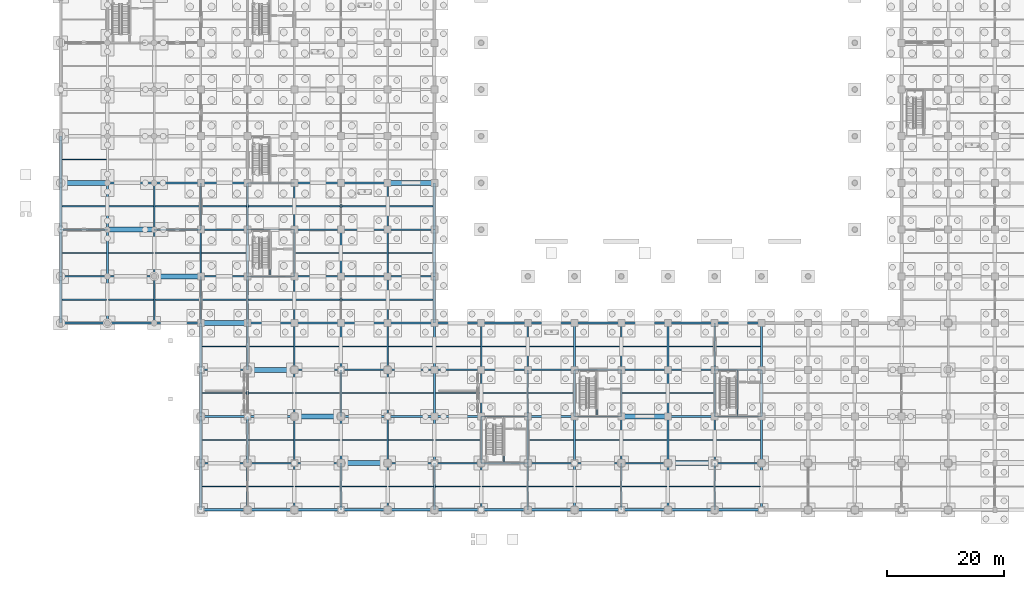
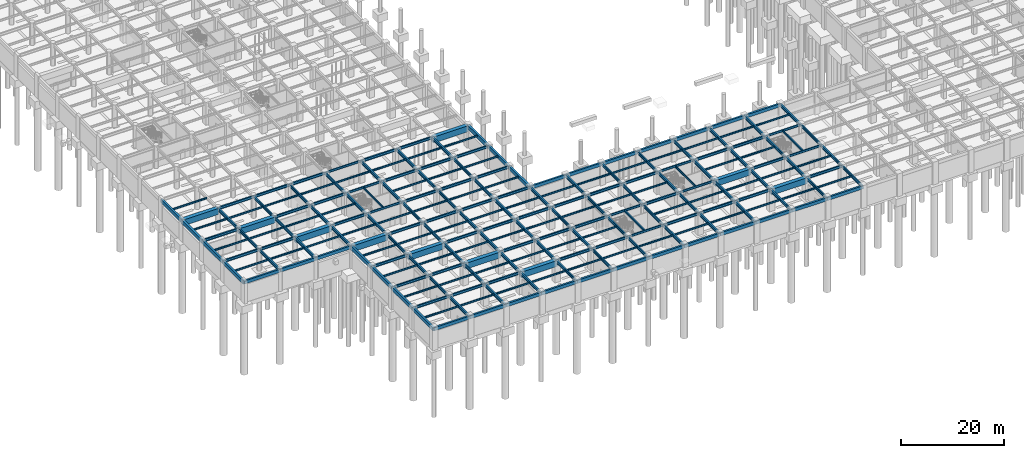
# One storey, part 59 of 97: 240 beams.
"""IFC4 building model written with IfcOpenShell, lengths in metres."""

from ifc_helpers import new_model, si_unit, direction, frame, origin, origin_2d, place, context, subcontext, project, spatial, rectangle, i_section, extrude, material, material_profile, profile_set, type_object, element, save


model = new_model("IFC4")

# Units and contexts
model_context = context("Model", 3, precision=1e-05, world=origin(), true_north=direction((0.0, 1.0)))
body_context = subcontext(model_context, "Body", "Model", "MODEL_VIEW")
ifc_project = project(units=[si_unit("LENGTHUNIT", "METRE"), si_unit("AREAUNIT", "SQUARE_METRE"), si_unit("VOLUMEUNIT", "CUBIC_METRE"), si_unit("PLANEANGLEUNIT", "RADIAN"), si_unit("MASSUNIT", "GRAM", prefix="KILO")], contexts=[model_context])

# Site, building, storey
site_placement = place(None, origin())
site = spatial("IfcSite", under=ifc_project, at=site_placement, CompositionType="ELEMENT")
building_placement = place(site_placement, origin())
building = spatial("IfcBuilding", under=site, at=building_placement, Name="Haebicheon Civic Stadium", CompositionType="ELEMENT")
storey_placement = place(building_placement, frame((0.0, 0.0, -5.39990234375)))
storey = spatial("IfcBuildingStorey", under=building, at=storey_placement, Name="B1", CompositionType="ELEMENT", Elevation=-5.39990234375)

# Beams
ifc_material_1 = material(Name="Steel SM355 (S355)", Category="steel")
ifc_material_profile_1 = material_profile(ifc_material_1, i_section(OverallWidth=0.199951171875, OverallDepth=0.5, WebThickness=0.010009765625, FlangeThickness=0.01611328125, at=origin_2d()), Name="H-500x200x10x16")
ifc_profile_set_1 = profile_set([ifc_material_profile_1], Name="Steel SM355 (S355)")
beam_type_1 = type_object("IfcBeamType", Name="BM-ST-H500", PredefinedType="BEAM", material=ifc_profile_set_1)
for number, where, z_axis, x_axis, name in (
    (1, (32.0, 40.0, 4.849853515625), (1.0, 0.0, 0.0), (0.0, 1.0, 0.0), "B1 beam F/5-6"),
    (2, (32.0, 48.0, 4.849853515625), (1.0, 0.0, 0.0), (0.0, 1.0, 0.0), "B1 beam G/5-6"),
    (3, (32.0, 56.0, 4.849853515625), (1.0, 0.0, 0.0), (0.0, 1.0, 0.0), "B1 beam H/5-6"),
    (4, (72.0, 8.0, 4.7998046875), (1.0, 0.0, 0.0), (0.0, 1.0, 0.0), "B1 beam B/10-11"),
    (5, (72.0, 16.0, 4.7998046875), (1.0, 0.0, 0.0), (0.0, 1.0, 0.0), "B1 beam C/10-11"),
    (6, (88.0, 16.0, 4.7998046875), (1.0, 0.0, 0.0), (0.0, 1.0, 0.0), "B1 beam C/12-13"),
    (7, (88.0, 24.0, 4.849853515625), (1.0, 0.0, 0.0), (0.0, 1.0, 0.0), "B1 beam D/12-13"),
    (8, (112.0, 16.0, 4.7998046875), (1.0, 0.0, 0.0), (0.0, 1.0, 0.0), "B1 beam C/15-16"),
    (9, (112.0, 24.0, 4.849853515625), (1.0, 0.0, 0.0), (0.0, 1.0, 0.0), "B1 beam D/15-16"),
):
    element("IfcBeam", number, at=place(storey_placement, frame(where, z_axis=z_axis, x_axis=x_axis)), inside=storey, type_object=beam_type_1, material=ifc_profile_set_1, Name=name, PredefinedType="BEAM", context=body_context, shape_type="SweptSolid", body=[
        extrude(i_section(OverallWidth=0.199951171875, OverallDepth=0.5, WebThickness=0.010009765625, FlangeThickness=0.01611328125, at=origin_2d()), origin(), (0.0, 0.0, 1.0), 8.0),
    ])
for number, where, z_axis, x_axis, name in (
    (10, (35.8798828125, 40.10009765625, 4.849853515625), (0.0, 1.0, 0.0), (-1.0, 0.0, 0.0), "B1 KC-01 core dividing wall support beam"),
    (11, (75.8798828125, 8.10009765625, 4.7998046875), (0.0, 1.0, 0.0), (-1.0, 0.0, 0.0), "B1 KC-16 core dividing wall support beam"),
    (12, (91.8798828125, 16.10009765625, 4.849853515625), (0.0, 1.0, 0.0), (-1.0, 0.0, 0.0), "B1 KC-06 core dividing wall support beam"),
    (13, (115.8798828125, 16.10009765625, 4.849853515625), (0.0, 1.0, 0.0), (-1.0, 0.0, 0.0), "B1 KC-07 core dividing wall support beam"),
):
    element("IfcBeam", number, at=place(storey_placement, frame(where, z_axis=z_axis, x_axis=x_axis)), inside=storey, type_object=beam_type_1, material=ifc_profile_set_1, Name=name, PredefinedType="BEAM", context=body_context, shape_type="SweptSolid", body=[
        extrude(i_section(OverallWidth=0.199951171875, OverallDepth=0.5, WebThickness=0.010009765625, FlangeThickness=0.01611328125, at=origin_2d()), origin(), (0.0, 0.0, 1.0), 7.7998046875),
    ])
ifc_material_2 = material(Name="Steel SM355 (S355)", Category="steel")
ifc_material_profile_2 = material_profile(ifc_material_2, i_section(OverallWidth=0.300048828125, OverallDepth=0.60009765625, WebThickness=0.011962890625, FlangeThickness=0.02001953125, at=origin_2d()), Name="H-600x300x12x20")
ifc_profile_set_2 = profile_set([ifc_material_profile_2], Name="Steel SM355 (S355)")
beam_type_2 = type_object("IfcBeamType", Name="BM-ST-H600A", PredefinedType="BEAM", material=ifc_profile_set_2)
for number, where, z_axis, x_axis, name in (
    (14, (0.0, 40.0, 4.7998046875), (1.0, 0.0, 0.0), (0.0, 1.0, 0.0), "B1 beam F/1-2"),
    (15, (0.0, 48.0, 4.7998046875), (1.0, 0.0, 0.0), (0.0, 1.0, 0.0), "B1 beam G/1-2"),
    (16, (8.0, 40.0, 4.7998046875), (1.0, 0.0, 0.0), (0.0, 1.0, 0.0), "B1 beam F/2-3"),
    (17, (8.0, 56.0, 4.7998046875), (1.0, 0.0, 0.0), (0.0, 1.0, 0.0), "B1 beam H/2-3"),
    (18, (16.0, 48.0, 4.7998046875), (1.0, 0.0, 0.0), (0.0, 1.0, 0.0), "B1 beam G/3-4"),
    (19, (16.0, 56.0, 4.7998046875), (1.0, 0.0, 0.0), (0.0, 1.0, 0.0), "B1 beam H/3-4"),
    (20, (24.0, 8.0, 4.75), (1.0, 0.0, 0.0), (0.0, 1.0, 0.0), "B1 beam B/4-5"),
    (21, (24.0, 16.0, 4.75), (1.0, 0.0, 0.0), (0.0, 1.0, 0.0), "B1 beam C/4-5"),
    (22, (24.0, 24.0, 4.7998046875), (1.0, 0.0, 0.0), (0.0, 1.0, 0.0), "B1 beam D/4-5"),
    (23, (24.0, 40.0, 4.7998046875), (1.0, 0.0, 0.0), (0.0, 1.0, 0.0), "B1 beam F/4-5"),
    (24, (24.0, 48.0, 4.7998046875), (1.0, 0.0, 0.0), (0.0, 1.0, 0.0), "B1 beam G/4-5"),
    (25, (24.0, 56.0, 4.7998046875), (1.0, 0.0, 0.0), (0.0, 1.0, 0.0), "B1 beam H/4-5"),
    (26, (32.0, 8.0, 4.75), (1.0, 0.0, 0.0), (0.0, 1.0, 0.0), "B1 beam B/5-6"),
    (27, (32.0, 16.0, 4.75), (1.0, 0.0, 0.0), (0.0, 1.0, 0.0), "B1 beam C/5-6"),
    (28, (32.0, 32.0, 4.7998046875), (1.0, 0.0, 0.0), (0.0, 1.0, 0.0), "B1 beam E/5-6"),
    (29, (40.0, 8.0, 4.75), (1.0, 0.0, 0.0), (0.0, 1.0, 0.0), "B1 beam B/6-7"),
    (30, (40.0, 24.0, 4.7998046875), (1.0, 0.0, 0.0), (0.0, 1.0, 0.0), "B1 beam D/6-7"),
    (31, (40.0, 32.0, 4.7998046875), (1.0, 0.0, 0.0), (0.0, 1.0, 0.0), "B1 beam E/6-7"),
    (32, (40.0, 40.0, 4.7998046875), (1.0, 0.0, 0.0), (0.0, 1.0, 0.0), "B1 beam F/6-7"),
    (33, (40.0, 48.0, 4.7998046875), (1.0, 0.0, 0.0), (0.0, 1.0, 0.0), "B1 beam G/6-7"),
    (34, (40.0, 56.0, 4.7998046875), (1.0, 0.0, 0.0), (0.0, 1.0, 0.0), "B1 beam H/6-7"),
    (35, (48.0, 16.0, 4.75), (1.0, 0.0, 0.0), (0.0, 1.0, 0.0), "B1 beam C/7-8"),
    (36, (48.0, 24.0, 4.7998046875), (1.0, 0.0, 0.0), (0.0, 1.0, 0.0), "B1 beam D/7-8"),
    (37, (48.0, 32.0, 4.7998046875), (1.0, 0.0, 0.0), (0.0, 1.0, 0.0), "B1 beam E/7-8"),
    (38, (48.0, 40.0, 4.7998046875), (1.0, 0.0, 0.0), (0.0, 1.0, 0.0), "B1 beam F/7-8"),
    (39, (48.0, 48.0, 4.7998046875), (1.0, 0.0, 0.0), (0.0, 1.0, 0.0), "B1 beam G/7-8"),
    (40, (48.0, 56.0, 4.7998046875), (1.0, 0.0, 0.0), (0.0, 1.0, 0.0), "B1 beam H/7-8"),
    (41, (56.0, 8.0, 4.75), (1.0, 0.0, 0.0), (0.0, 1.0, 0.0), "B1 beam B/8-9"),
    (42, (56.0, 16.0, 4.75), (1.0, 0.0, 0.0), (0.0, 1.0, 0.0), "B1 beam C/8-9"),
    (43, (56.0, 24.0, 4.7998046875), (1.0, 0.0, 0.0), (0.0, 1.0, 0.0), "B1 beam D/8-9"),
    (44, (56.0, 32.0, 4.7998046875), (1.0, 0.0, 0.0), (0.0, 1.0, 0.0), "B1 beam E/8-9"),
    (45, (56.0, 40.0, 4.7998046875), (1.0, 0.0, 0.0), (0.0, 1.0, 0.0), "B1 beam F/8-9"),
    (46, (56.0, 48.0, 4.7998046875), (1.0, 0.0, 0.0), (0.0, 1.0, 0.0), "B1 beam G/8-9"),
    (47, (64.0, 8.0, 4.75), (1.0, 0.0, 0.0), (0.0, 1.0, 0.0), "B1 beam B/9-10"),
    (48, (64.0, 16.0, 4.75), (1.0, 0.0, 0.0), (0.0, 1.0, 0.0), "B1 beam C/9-10"),
    (49, (64.0, 24.0, 4.7998046875), (1.0, 0.0, 0.0), (0.0, 1.0, 0.0), "B1 beam D/9-10"),
    (50, (72.0, 24.0, 4.7998046875), (1.0, 0.0, 0.0), (0.0, 1.0, 0.0), "B1 beam D/10-11"),
    (51, (80.0, 8.0, 4.75), (1.0, 0.0, 0.0), (0.0, 1.0, 0.0), "B1 beam B/11-12"),
    (52, (80.0, 16.0, 4.75), (1.0, 0.0, 0.0), (0.0, 1.0, 0.0), "B1 beam C/11-12"),
    (53, (80.0, 24.0, 4.7998046875), (1.0, 0.0, 0.0), (0.0, 1.0, 0.0), "B1 beam D/11-12"),
    (54, (88.0, 8.0, 4.75), (1.0, 0.0, 0.0), (0.0, 1.0, 0.0), "B1 beam B/12-13"),
    (55, (96.0, 8.0, 4.75), (1.0, 0.0, 0.0), (0.0, 1.0, 0.0), "B1 beam B/13-14"),
    (56, (96.0, 24.0, 4.7998046875), (1.0, 0.0, 0.0), (0.0, 1.0, 0.0), "B1 beam D/13-14"),
    (57, (104.0, 16.0, 4.75), (1.0, 0.0, 0.0), (0.0, 1.0, 0.0), "B1 beam C/14-15"),
    (58, (104.0, 24.0, 4.7998046875), (1.0, 0.0, 0.0), (0.0, 1.0, 0.0), "B1 beam D/14-15"),
    (59, (112.0, 8.0, 4.75), (1.0, 0.0, 0.0), (0.0, 1.0, 0.0), "B1 beam B/15-16"),
):
    element("IfcBeam", number, at=place(storey_placement, frame(where, z_axis=z_axis, x_axis=x_axis)), inside=storey, type_object=beam_type_2, material=ifc_profile_set_2, Name=name, PredefinedType="BEAM", context=body_context, shape_type="SweptSolid", body=[
        extrude(i_section(OverallWidth=0.300048828125, OverallDepth=0.60009765625, WebThickness=0.011962890625, FlangeThickness=0.02001953125, at=origin_2d()), origin(), (0.0, 0.0, 1.0), 8.0),
    ])
ifc_material_3 = material(Name="Steel SM490", Category="steel")
ifc_material_profile_3 = material_profile(ifc_material_3, i_section(OverallWidth=0.300048828125, OverallDepth=0.699951171875, WebThickness=0.012939453125, FlangeThickness=0.02392578125, at=origin_2d()), Name="H-700x300x13x24")
ifc_profile_set_3 = profile_set([ifc_material_profile_3], Name="Steel SM490")
beam_type_3 = type_object("IfcBeamType", Name="BM-ST-H700", PredefinedType="BEAM", material=ifc_profile_set_3)
for number, where, z_axis, x_axis, name in (
    (60, (8.0, 32.0, 4.75), (0.0, 1.0, 0.0), (-1.0, 0.0, 0.0), "B1 girder 2/E-F"),
    (61, (8.0, 40.0, 4.75), (0.0, 1.0, 0.0), (-1.0, 0.0, 0.0), "B1 girder 2/F-G"),
    (62, (8.0, 48.0, 4.75), (0.0, 1.0, 0.0), (-1.0, 0.0, 0.0), "B1 girder 2/G-H"),
    (63, (16.0, 32.0, 4.75), (0.0, 1.0, 0.0), (-1.0, 0.0, 0.0), "B1 girder 3/E-F"),
    (64, (16.0, 40.0, 4.75), (0.0, 1.0, 0.0), (-1.0, 0.0, 0.0), "B1 girder 3/F-G"),
    (65, (16.0, 48.0, 4.75), (0.0, 1.0, 0.0), (-1.0, 0.0, 0.0), "B1 girder 3/G-H"),
    (66, (24.0, 32.0, 4.75), (0.0, 1.0, 0.0), (-1.0, 0.0, 0.0), "B1 girder 4/E-F"),
    (67, (24.0, 40.0, 4.75), (0.0, 1.0, 0.0), (-1.0, 0.0, 0.0), "B1 girder 4/F-G"),
    (68, (24.0, 48.0, 4.75), (0.0, 1.0, 0.0), (-1.0, 0.0, 0.0), "B1 girder 4/G-H"),
    (69, (32.0, 0.0, 4.699951171875), (0.0, 1.0, 0.0), (-1.0, 0.0, 0.0), "B1 girder 5/A-B"),
    (70, (32.0, 8.0, 4.699951171875), (0.0, 1.0, 0.0), (-1.0, 0.0, 0.0), "B1 girder 5/B-C"),
    (71, (32.0, 16.0, 4.75), (0.0, 1.0, 0.0), (-1.0, 0.0, 0.0), "B1 girder 5/C-D"),
    (72, (32.0, 24.0, 4.75), (0.0, 1.0, 0.0), (-1.0, 0.0, 0.0), "B1 girder 5/D-E"),
    (73, (32.0, 32.0, 4.75), (0.0, 1.0, 0.0), (-1.0, 0.0, 0.0), "B1 girder 5/E-F"),
    (74, (32.0, 40.0, 4.75), (0.0, 1.0, 0.0), (-1.0, 0.0, 0.0), "B1 girder 5/F-G"),
    (75, (32.0, 48.0, 4.75), (0.0, 1.0, 0.0), (-1.0, 0.0, 0.0), "B1 girder 5/G-H"),
    (76, (40.0, 0.0, 4.699951171875), (0.0, 1.0, 0.0), (-1.0, 0.0, 0.0), "B1 girder 6/A-B"),
    (77, (40.0, 8.0, 4.699951171875), (0.0, 1.0, 0.0), (-1.0, 0.0, 0.0), "B1 girder 6/B-C"),
    (78, (40.0, 16.0, 4.75), (0.0, 1.0, 0.0), (-1.0, 0.0, 0.0), "B1 girder 6/C-D"),
    (79, (40.0, 24.0, 4.75), (0.0, 1.0, 0.0), (-1.0, 0.0, 0.0), "B1 girder 6/D-E"),
    (80, (40.0, 32.0, 4.75), (0.0, 1.0, 0.0), (-1.0, 0.0, 0.0), "B1 girder 6/E-F"),
    (81, (40.0, 40.0, 4.75), (0.0, 1.0, 0.0), (-1.0, 0.0, 0.0), "B1 girder 6/F-G"),
    (82, (40.0, 48.0, 4.75), (0.0, 1.0, 0.0), (-1.0, 0.0, 0.0), "B1 girder 6/G-H"),
    (83, (48.0, 0.0, 4.699951171875), (0.0, 1.0, 0.0), (-1.0, 0.0, 0.0), "B1 girder 7/A-B"),
    (84, (48.0, 8.0, 4.699951171875), (0.0, 1.0, 0.0), (-1.0, 0.0, 0.0), "B1 girder 7/B-C"),
    (85, (48.0, 16.0, 4.75), (0.0, 1.0, 0.0), (-1.0, 0.0, 0.0), "B1 girder 7/C-D"),
    (86, (48.0, 24.0, 4.75), (0.0, 1.0, 0.0), (-1.0, 0.0, 0.0), "B1 girder 7/D-E"),
    (87, (48.0, 32.0, 4.75), (0.0, 1.0, 0.0), (-1.0, 0.0, 0.0), "B1 girder 7/E-F"),
    (88, (48.0, 40.0, 4.75), (0.0, 1.0, 0.0), (-1.0, 0.0, 0.0), "B1 girder 7/F-G"),
    (89, (48.0, 48.0, 4.75), (0.0, 1.0, 0.0), (-1.0, 0.0, 0.0), "B1 girder 7/G-H"),
    (90, (56.0, 0.0, 4.699951171875), (0.0, 1.0, 0.0), (-1.0, 0.0, 0.0), "B1 girder 8/A-B"),
    (91, (56.0, 8.0, 4.699951171875), (0.0, 1.0, 0.0), (-1.0, 0.0, 0.0), "B1 girder 8/B-C"),
    (92, (56.0, 16.0, 4.75), (0.0, 1.0, 0.0), (-1.0, 0.0, 0.0), "B1 girder 8/C-D"),
    (93, (56.0, 24.0, 4.75), (0.0, 1.0, 0.0), (-1.0, 0.0, 0.0), "B1 girder 8/D-E"),
    (94, (56.0, 32.0, 4.75), (0.0, 1.0, 0.0), (-1.0, 0.0, 0.0), "B1 girder 8/E-F"),
    (95, (56.0, 40.0, 4.75), (0.0, 1.0, 0.0), (-1.0, 0.0, 0.0), "B1 girder 8/F-G"),
    (96, (56.0, 48.0, 4.75), (0.0, 1.0, 0.0), (-1.0, 0.0, 0.0), "B1 girder 8/G-H"),
    (97, (64.0, 0.0, 4.699951171875), (0.0, 1.0, 0.0), (-1.0, 0.0, 0.0), "B1 girder 9/A-B"),
    (98, (64.0, 8.0, 4.699951171875), (0.0, 1.0, 0.0), (-1.0, 0.0, 0.0), "B1 girder 9/B-C"),
    (99, (64.0, 16.0, 4.75), (0.0, 1.0, 0.0), (-1.0, 0.0, 0.0), "B1 girder 9/C-D"),
    (100, (64.0, 24.0, 4.75), (0.0, 1.0, 0.0), (-1.0, 0.0, 0.0), "B1 girder 9/D-E"),
    (101, (72.0, 0.0, 4.699951171875), (0.0, 1.0, 0.0), (-1.0, 0.0, 0.0), "B1 girder 10/A-B"),
    (102, (72.0, 8.0, 4.699951171875), (0.0, 1.0, 0.0), (-1.0, 0.0, 0.0), "B1 girder 10/B-C"),
    (103, (72.0, 16.0, 4.75), (0.0, 1.0, 0.0), (-1.0, 0.0, 0.0), "B1 girder 10/C-D"),
    (104, (72.0, 24.0, 4.75), (0.0, 1.0, 0.0), (-1.0, 0.0, 0.0), "B1 girder 10/D-E"),
    (105, (80.0, 0.0, 4.699951171875), (0.0, 1.0, 0.0), (-1.0, 0.0, 0.0), "B1 girder 11/A-B"),
    (106, (80.0, 8.0, 4.699951171875), (0.0, 1.0, 0.0), (-1.0, 0.0, 0.0), "B1 girder 11/B-C"),
    (107, (80.0, 16.0, 4.75), (0.0, 1.0, 0.0), (-1.0, 0.0, 0.0), "B1 girder 11/C-D"),
    (108, (80.0, 24.0, 4.75), (0.0, 1.0, 0.0), (-1.0, 0.0, 0.0), "B1 girder 11/D-E"),
    (109, (88.0, 0.0, 4.699951171875), (0.0, 1.0, 0.0), (-1.0, 0.0, 0.0), "B1 girder 12/A-B"),
    (110, (88.0, 8.0, 4.699951171875), (0.0, 1.0, 0.0), (-1.0, 0.0, 0.0), "B1 girder 12/B-C"),
    (111, (88.0, 16.0, 4.75), (0.0, 1.0, 0.0), (-1.0, 0.0, 0.0), "B1 girder 12/C-D"),
    (112, (88.0, 24.0, 4.75), (0.0, 1.0, 0.0), (-1.0, 0.0, 0.0), "B1 girder 12/D-E"),
    (113, (96.0, 0.0, 4.699951171875), (0.0, 1.0, 0.0), (-1.0, 0.0, 0.0), "B1 girder 13/A-B"),
    (114, (96.0, 8.0, 4.699951171875), (0.0, 1.0, 0.0), (-1.0, 0.0, 0.0), "B1 girder 13/B-C"),
    (115, (96.0, 16.0, 4.75), (0.0, 1.0, 0.0), (-1.0, 0.0, 0.0), "B1 girder 13/C-D"),
    (116, (96.0, 24.0, 4.75), (0.0, 1.0, 0.0), (-1.0, 0.0, 0.0), "B1 girder 13/D-E"),
    (117, (104.0, 0.0, 4.699951171875), (0.0, 1.0, 0.0), (-1.0, 0.0, 0.0), "B1 girder 14/A-B"),
    (118, (104.0, 8.0, 4.699951171875), (0.0, 1.0, 0.0), (-1.0, 0.0, 0.0), "B1 girder 14/B-C"),
    (119, (104.0, 16.0, 4.75), (0.0, 1.0, 0.0), (-1.0, 0.0, 0.0), "B1 girder 14/C-D"),
    (120, (104.0, 24.0, 4.75), (0.0, 1.0, 0.0), (-1.0, 0.0, 0.0), "B1 girder 14/D-E"),
    (121, (112.0, 0.0, 4.699951171875), (0.0, 1.0, 0.0), (-1.0, 0.0, 0.0), "B1 girder 15/A-B"),
    (122, (112.0, 8.0, 4.699951171875), (0.0, 1.0, 0.0), (-1.0, 0.0, 0.0), "B1 girder 15/B-C"),
    (123, (112.0, 16.0, 4.75), (0.0, 1.0, 0.0), (-1.0, 0.0, 0.0), "B1 girder 15/C-D"),
    (124, (112.0, 24.0, 4.75), (0.0, 1.0, 0.0), (-1.0, 0.0, 0.0), "B1 girder 15/D-E"),
    (125, (120.0, 0.0, 4.699951171875), (0.0, 1.0, 0.0), (-1.0, 0.0, 0.0), "B1 girder 16/A-B"),
    (126, (120.0, 8.0, 4.699951171875), (0.0, 1.0, 0.0), (-1.0, 0.0, 0.0), "B1 girder 16/B-C"),
    (127, (120.0, 16.0, 4.75), (0.0, 1.0, 0.0), (-1.0, 0.0, 0.0), "B1 girder 16/C-D"),
    (128, (120.0, 24.0, 4.75), (0.0, 1.0, 0.0), (-1.0, 0.0, 0.0), "B1 girder 16/D-E"),
):
    element("IfcBeam", number, at=place(storey_placement, frame(where, z_axis=z_axis, x_axis=x_axis)), inside=storey, type_object=beam_type_3, material=ifc_profile_set_3, Name=name, PredefinedType="BEAM", context=body_context, shape_type="SweptSolid", body=[
        extrude(i_section(OverallWidth=0.300048828125, OverallDepth=0.699951171875, WebThickness=0.012939453125, FlangeThickness=0.02392578125, at=origin_2d()), origin(), (0.0, 0.0, 1.0), 8.0),
    ])
ifc_material_4 = material(Name="Concrete C40/50", Category="concrete")
ifc_material_profile_4 = material_profile(ifc_material_4, rectangle(XDim=0.85009765625, YDim=1.39990234375, at=origin_2d()), Name="RC-TG-850x1400")
ifc_profile_set_4 = profile_set([ifc_material_profile_4], Name="Concrete C40/50")
beam_type_4 = type_object("IfcBeamType", Name="BM-TG-850x1400", PredefinedType="BEAM", material=ifc_profile_set_4)
for number, where, z_axis, x_axis, name in (
    (129, (0.0, 56.0, 4.39990234375), (1.0, 0.0, 0.0), (0.0, 1.0, 0.0), "B1 beam H/1-2"),
    (130, (8.0, 48.0, 4.39990234375), (1.0, 0.0, 0.0), (0.0, 1.0, 0.0), "B1 beam G/2-3"),
    (131, (16.0, 40.0, 4.39990234375), (1.0, 0.0, 0.0), (0.0, 1.0, 0.0), "B1 beam F/3-4"),
    (132, (24.0, 32.0, 4.39990234375), (1.0, 0.0, 0.0), (0.0, 1.0, 0.0), "B1 beam E/4-5"),
    (133, (32.0, 24.0, 4.39990234375), (1.0, 0.0, 0.0), (0.0, 1.0, 0.0), "B1 beam D/5-6"),
    (134, (40.0, 16.0, 4.349853515625), (1.0, 0.0, 0.0), (0.0, 1.0, 0.0), "B1 beam C/6-7"),
    (135, (48.0, 8.0, 4.349853515625), (1.0, 0.0, 0.0), (0.0, 1.0, 0.0), "B1 beam B/7-8"),
    (136, (56.0, 56.0, 4.39990234375), (1.0, 0.0, 0.0), (0.0, 1.0, 0.0), "B1 beam H/8-9"),
    (137, (96.0, 16.0, 4.349853515625), (1.0, 0.0, 0.0), (0.0, 1.0, 0.0), "B1 beam C/13-14"),
    (138, (104.0, 8.0, 4.349853515625), (1.0, 0.0, 0.0), (0.0, 1.0, 0.0), "B1 beam B/14-15"),
):
    element("IfcBeam", number, at=place(storey_placement, frame(where, z_axis=z_axis, x_axis=x_axis)), inside=storey, type_object=beam_type_4, material=ifc_profile_set_4, Name=name, PredefinedType="BEAM", context=body_context, shape_type="SweptSolid", body=[
        extrude(rectangle(XDim=0.85009765625, YDim=1.39990234375, at=origin_2d()), origin(), (0.0, 0.0, 1.0), 8.0),
    ])
ifc_material_5 = material(Name="Steel SM355 (S355)", Category="steel")
ifc_material_profile_5 = material_profile(ifc_material_5, i_section(OverallWidth=0.199951171875, OverallDepth=0.39990234375, WebThickness=0.008056640625, FlangeThickness=0.012939453125, at=origin_2d()), Name="H-400x200x8x13")
ifc_profile_set_5 = profile_set([ifc_material_profile_5], Name="Steel SM355 (S355)")
beam_type_5 = type_object("IfcBeamType", Name="JST-ST-H400", PredefinedType="JOIST", material=ifc_profile_set_5)
for number, where, z_axis, x_axis, name in (
    (139, (0.22509765625, 36.0, 4.89990234375), (1.0, 0.0, 0.0), (0.0, 1.0, 0.0), "B1 secondary joist 00-04"),
    (140, (0.22509765625, 44.0, 4.89990234375), (1.0, 0.0, 0.0), (0.0, 1.0, 0.0), "B1 secondary joist 00-05"),
    (141, (0.22509765625, 52.0, 4.89990234375), (1.0, 0.0, 0.0), (0.0, 1.0, 0.0), "B1 secondary joist 00-06"),
    (142, (0.22509765625, 60.0, 4.89990234375), (1.0, 0.0, 0.0), (0.0, 1.0, 0.0), "B1 secondary joist 00-07"),
):
    element("IfcBeam", number, at=place(storey_placement, frame(where, z_axis=z_axis, x_axis=x_axis)), inside=storey, type_object=beam_type_5, material=ifc_profile_set_5, Name=name, PredefinedType="JOIST", context=body_context, shape_type="SweptSolid", body=[
        extrude(i_section(OverallWidth=0.199951171875, OverallDepth=0.39990234375, WebThickness=0.008056640625, FlangeThickness=0.012939453125, at=origin_2d()), origin(), (0.0, 0.0, 1.0), 7.625),
    ])
for number, where, z_axis, x_axis, name in (
    (143, (8.14990234375, 36.0, 4.89990234375), (1.0, 0.0, 0.0), (0.0, 1.0, 0.0), "B1 secondary joist 01-04"),
    (144, (8.14990234375, 44.0, 4.89990234375), (1.0, 0.0, 0.0), (0.0, 1.0, 0.0), "B1 secondary joist 01-05"),
    (145, (8.14990234375, 52.0, 4.89990234375), (1.0, 0.0, 0.0), (0.0, 1.0, 0.0), "B1 secondary joist 01-06"),
    (146, (16.14990234375, 36.0, 4.89990234375), (1.0, 0.0, 0.0), (0.0, 1.0, 0.0), "B1 secondary joist 02-04"),
    (147, (16.14990234375, 44.0, 4.89990234375), (1.0, 0.0, 0.0), (0.0, 1.0, 0.0), "B1 secondary joist 02-05"),
    (148, (16.14990234375, 52.0, 4.89990234375), (1.0, 0.0, 0.0), (0.0, 1.0, 0.0), "B1 secondary joist 02-06"),
):
    element("IfcBeam", number, at=place(storey_placement, frame(where, z_axis=z_axis, x_axis=x_axis)), inside=storey, type_object=beam_type_5, material=ifc_profile_set_5, Name=name, PredefinedType="JOIST", context=body_context, shape_type="SweptSolid", body=[
        extrude(i_section(OverallWidth=0.199951171875, OverallDepth=0.39990234375, WebThickness=0.008056640625, FlangeThickness=0.012939453125, at=origin_2d()), origin(), (0.0, 0.0, 1.0), 7.7001953125),
    ])
for number, where, z_axis, x_axis, name in (
    (149, (24.22509765625, 4.0, 4.849853515625), (1.0, 0.0, 0.0), (0.0, 1.0, 0.0), "B1 secondary joist 03-00"),
    (150, (24.22509765625, 12.0, 4.849853515625), (1.0, 0.0, 0.0), (0.0, 1.0, 0.0), "B1 secondary joist 03-01"),
    (151, (24.22509765625, 20.0, 4.89990234375), (1.0, 0.0, 0.0), (0.0, 1.0, 0.0), "B1 secondary joist 03-02"),
    (152, (24.22509765625, 28.0, 4.89990234375), (1.0, 0.0, 0.0), (0.0, 1.0, 0.0), "B1 secondary joist 03-03"),
):
    element("IfcBeam", number, at=place(storey_placement, frame(where, z_axis=z_axis, x_axis=x_axis)), inside=storey, type_object=beam_type_5, material=ifc_profile_set_5, Name=name, PredefinedType="JOIST", context=body_context, shape_type="SweptSolid", body=[
        extrude(i_section(OverallWidth=0.199951171875, OverallDepth=0.39990234375, WebThickness=0.008056640625, FlangeThickness=0.012939453125, at=origin_2d()), origin(), (0.0, 0.0, 1.0), 7.625),
    ])
for number, where, z_axis, x_axis, name in (
    (153, (24.14990234375, 36.0, 4.89990234375), (1.0, 0.0, 0.0), (0.0, 1.0, 0.0), "B1 secondary joist 03-04"),
    (154, (24.14990234375, 44.0, 4.89990234375), (1.0, 0.0, 0.0), (0.0, 1.0, 0.0), "B1 secondary joist 03-05"),
    (155, (24.14990234375, 52.0, 4.89990234375), (1.0, 0.0, 0.0), (0.0, 1.0, 0.0), "B1 secondary joist 03-06"),
    (156, (32.14990234375, 4.0, 4.849853515625), (1.0, 0.0, 0.0), (0.0, 1.0, 0.0), "B1 secondary joist 04-00"),
    (157, (32.14990234375, 12.0, 4.849853515625), (1.0, 0.0, 0.0), (0.0, 1.0, 0.0), "B1 secondary joist 04-01"),
    (158, (32.14990234375, 20.0, 4.89990234375), (1.0, 0.0, 0.0), (0.0, 1.0, 0.0), "B1 secondary joist 04-02"),
    (159, (32.14990234375, 28.0, 4.89990234375), (1.0, 0.0, 0.0), (0.0, 1.0, 0.0), "B1 secondary joist 04-03"),
    (160, (32.14990234375, 36.0, 4.89990234375), (1.0, 0.0, 0.0), (0.0, 1.0, 0.0), "B1 secondary joist 04-04"),
    (161, (32.14990234375, 52.0, 4.89990234375), (1.0, 0.0, 0.0), (0.0, 1.0, 0.0), "B1 secondary joist 04-06"),
    (162, (40.14990234375, 4.0, 4.849853515625), (1.0, 0.0, 0.0), (0.0, 1.0, 0.0), "B1 secondary joist 05-00"),
    (163, (40.14990234375, 12.0, 4.849853515625), (1.0, 0.0, 0.0), (0.0, 1.0, 0.0), "B1 secondary joist 05-01"),
    (164, (40.14990234375, 20.0, 4.89990234375), (1.0, 0.0, 0.0), (0.0, 1.0, 0.0), "B1 secondary joist 05-02"),
    (165, (40.14990234375, 28.0, 4.89990234375), (1.0, 0.0, 0.0), (0.0, 1.0, 0.0), "B1 secondary joist 05-03"),
    (166, (40.14990234375, 36.0, 4.89990234375), (1.0, 0.0, 0.0), (0.0, 1.0, 0.0), "B1 secondary joist 05-04"),
    (167, (40.14990234375, 44.0, 4.89990234375), (1.0, 0.0, 0.0), (0.0, 1.0, 0.0), "B1 secondary joist 05-05"),
    (168, (40.14990234375, 52.0, 4.89990234375), (1.0, 0.0, 0.0), (0.0, 1.0, 0.0), "B1 secondary joist 05-06"),
    (169, (48.14990234375, 4.0, 4.849853515625), (1.0, 0.0, 0.0), (0.0, 1.0, 0.0), "B1 secondary joist 06-00"),
    (170, (48.14990234375, 12.0, 4.849853515625), (1.0, 0.0, 0.0), (0.0, 1.0, 0.0), "B1 secondary joist 06-01"),
    (171, (48.14990234375, 20.0, 4.89990234375), (1.0, 0.0, 0.0), (0.0, 1.0, 0.0), "B1 secondary joist 06-02"),
    (172, (48.14990234375, 28.0, 4.89990234375), (1.0, 0.0, 0.0), (0.0, 1.0, 0.0), "B1 secondary joist 06-03"),
    (173, (48.14990234375, 36.0, 4.89990234375), (1.0, 0.0, 0.0), (0.0, 1.0, 0.0), "B1 secondary joist 06-04"),
    (174, (48.14990234375, 44.0, 4.89990234375), (1.0, 0.0, 0.0), (0.0, 1.0, 0.0), "B1 secondary joist 06-05"),
    (175, (48.14990234375, 52.0, 4.89990234375), (1.0, 0.0, 0.0), (0.0, 1.0, 0.0), "B1 secondary joist 06-06"),
    (176, (56.14990234375, 4.0, 4.849853515625), (1.0, 0.0, 0.0), (0.0, 1.0, 0.0), "B1 secondary joist 07-00"),
    (177, (56.14990234375, 12.0, 4.849853515625), (1.0, 0.0, 0.0), (0.0, 1.0, 0.0), "B1 secondary joist 07-01"),
    (178, (56.14990234375, 20.0, 4.89990234375), (1.0, 0.0, 0.0), (0.0, 1.0, 0.0), "B1 secondary joist 07-02"),
    (179, (56.14990234375, 28.0, 4.89990234375), (1.0, 0.0, 0.0), (0.0, 1.0, 0.0), "B1 secondary joist 07-03"),
):
    element("IfcBeam", number, at=place(storey_placement, frame(where, z_axis=z_axis, x_axis=x_axis)), inside=storey, type_object=beam_type_5, material=ifc_profile_set_5, Name=name, PredefinedType="JOIST", context=body_context, shape_type="SweptSolid", body=[
        extrude(i_section(OverallWidth=0.199951171875, OverallDepth=0.39990234375, WebThickness=0.008056640625, FlangeThickness=0.012939453125, at=origin_2d()), origin(), (0.0, 0.0, 1.0), 7.7001953125),
    ])
for number, where, z_axis, x_axis, name in (
    (180, (56.14990234375, 36.0, 4.89990234375), (1.0, 0.0, 0.0), (0.0, 1.0, 0.0), "B1 secondary joist 07-04"),
    (181, (56.14990234375, 44.0, 4.89990234375), (1.0, 0.0, 0.0), (0.0, 1.0, 0.0), "B1 secondary joist 07-05"),
    (182, (56.14990234375, 52.0, 4.89990234375), (1.0, 0.0, 0.0), (0.0, 1.0, 0.0), "B1 secondary joist 07-06"),
):
    element("IfcBeam", number, at=place(storey_placement, frame(where, z_axis=z_axis, x_axis=x_axis)), inside=storey, type_object=beam_type_5, material=ifc_profile_set_5, Name=name, PredefinedType="JOIST", context=body_context, shape_type="SweptSolid", body=[
        extrude(i_section(OverallWidth=0.199951171875, OverallDepth=0.39990234375, WebThickness=0.008056640625, FlangeThickness=0.012939453125, at=origin_2d()), origin(), (0.0, 0.0, 1.0), 7.625),
    ])
for number, where, z_axis, x_axis, name in (
    (183, (64.14990234375, 4.0, 4.849853515625), (1.0, 0.0, 0.0), (0.0, 1.0, 0.0), "B1 secondary joist 08-00"),
    (184, (64.14990234375, 12.0, 4.849853515625), (1.0, 0.0, 0.0), (0.0, 1.0, 0.0), "B1 secondary joist 08-01"),
    (185, (64.14990234375, 20.0, 4.89990234375), (1.0, 0.0, 0.0), (0.0, 1.0, 0.0), "B1 secondary joist 08-02"),
    (186, (64.14990234375, 28.0, 4.89990234375), (1.0, 0.0, 0.0), (0.0, 1.0, 0.0), "B1 secondary joist 08-03"),
    (187, (72.14990234375, 4.0, 4.849853515625), (1.0, 0.0, 0.0), (0.0, 1.0, 0.0), "B1 secondary joist 09-00"),
    (188, (72.14990234375, 20.0, 4.89990234375), (1.0, 0.0, 0.0), (0.0, 1.0, 0.0), "B1 secondary joist 09-02"),
    (189, (72.14990234375, 28.0, 4.89990234375), (1.0, 0.0, 0.0), (0.0, 1.0, 0.0), "B1 secondary joist 09-03"),
    (190, (80.14990234375, 4.0, 4.849853515625), (1.0, 0.0, 0.0), (0.0, 1.0, 0.0), "B1 secondary joist 10-00"),
    (191, (80.14990234375, 12.0, 4.849853515625), (1.0, 0.0, 0.0), (0.0, 1.0, 0.0), "B1 secondary joist 10-01"),
    (192, (80.14990234375, 20.0, 4.89990234375), (1.0, 0.0, 0.0), (0.0, 1.0, 0.0), "B1 secondary joist 10-02"),
    (193, (80.14990234375, 28.0, 4.89990234375), (1.0, 0.0, 0.0), (0.0, 1.0, 0.0), "B1 secondary joist 10-03"),
    (194, (88.14990234375, 4.0, 4.849853515625), (1.0, 0.0, 0.0), (0.0, 1.0, 0.0), "B1 secondary joist 11-00"),
    (195, (88.14990234375, 12.0, 4.849853515625), (1.0, 0.0, 0.0), (0.0, 1.0, 0.0), "B1 secondary joist 11-01"),
    (196, (88.14990234375, 28.0, 4.89990234375), (1.0, 0.0, 0.0), (0.0, 1.0, 0.0), "B1 secondary joist 11-03"),
    (197, (96.14990234375, 4.0, 4.849853515625), (1.0, 0.0, 0.0), (0.0, 1.0, 0.0), "B1 secondary joist 12-00"),
    (198, (96.14990234375, 12.0, 4.849853515625), (1.0, 0.0, 0.0), (0.0, 1.0, 0.0), "B1 secondary joist 12-01"),
    (199, (96.14990234375, 20.0, 4.89990234375), (1.0, 0.0, 0.0), (0.0, 1.0, 0.0), "B1 secondary joist 12-02"),
    (200, (96.14990234375, 28.0, 4.89990234375), (1.0, 0.0, 0.0), (0.0, 1.0, 0.0), "B1 secondary joist 12-03"),
    (201, (104.14990234375, 4.0, 4.849853515625), (1.0, 0.0, 0.0), (0.0, 1.0, 0.0), "B1 secondary joist 13-00"),
    (202, (104.14990234375, 12.0, 4.849853515625), (1.0, 0.0, 0.0), (0.0, 1.0, 0.0), "B1 secondary joist 13-01"),
    (203, (104.14990234375, 20.0, 4.89990234375), (1.0, 0.0, 0.0), (0.0, 1.0, 0.0), "B1 secondary joist 13-02"),
    (204, (104.14990234375, 28.0, 4.89990234375), (1.0, 0.0, 0.0), (0.0, 1.0, 0.0), "B1 secondary joist 13-03"),
    (205, (112.14990234375, 4.0, 4.849853515625), (1.0, 0.0, 0.0), (0.0, 1.0, 0.0), "B1 secondary joist 14-00"),
    (206, (112.14990234375, 12.0, 4.849853515625), (1.0, 0.0, 0.0), (0.0, 1.0, 0.0), "B1 secondary joist 14-01"),
    (207, (112.14990234375, 28.0, 4.89990234375), (1.0, 0.0, 0.0), (0.0, 1.0, 0.0), "B1 secondary joist 14-03"),
):
    element("IfcBeam", number, at=place(storey_placement, frame(where, z_axis=z_axis, x_axis=x_axis)), inside=storey, type_object=beam_type_5, material=ifc_profile_set_5, Name=name, PredefinedType="JOIST", context=body_context, shape_type="SweptSolid", body=[
        extrude(i_section(OverallWidth=0.199951171875, OverallDepth=0.39990234375, WebThickness=0.008056640625, FlangeThickness=0.012939453125, at=origin_2d()), origin(), (0.0, 0.0, 1.0), 7.7001953125),
    ])
ifc_material_6 = material(Name="Concrete C40/50", Category="concrete")
ifc_material_profile_6 = material_profile(ifc_material_6, rectangle(XDim=0.39990234375, YDim=0.75, at=origin_2d()), Name="RC-SP-400x750")
ifc_profile_set_6 = profile_set([ifc_material_profile_6], Name="Concrete C40/50")
beam_type_6 = type_object("IfcBeamType", Name="SPD-RC-400x750", PredefinedType="SPANDREL", material=ifc_profile_set_6)
for number, where, z_axis, x_axis, name in (
    (208, (0.0, 32.0, 4.724853515625), (1.0, 0.0, 0.0), (0.0, 1.0, 0.0), "B1 beam E/1-2"),
    (209, (8.0, 32.0, 4.724853515625), (1.0, 0.0, 0.0), (0.0, 1.0, 0.0), "B1 beam E/2-3"),
    (210, (16.0, 32.0, 4.724853515625), (1.0, 0.0, 0.0), (0.0, 1.0, 0.0), "B1 beam E/3-4"),
    (211, (24.0, 0.0, 4.6748046875), (1.0, 0.0, 0.0), (0.0, 1.0, 0.0), "B1 beam A/4-5"),
    (212, (32.0, 0.0, 4.6748046875), (1.0, 0.0, 0.0), (0.0, 1.0, 0.0), "B1 beam A/5-6"),
    (213, (40.0, 0.0, 4.6748046875), (1.0, 0.0, 0.0), (0.0, 1.0, 0.0), "B1 beam A/6-7"),
    (214, (48.0, 0.0, 4.6748046875), (1.0, 0.0, 0.0), (0.0, 1.0, 0.0), "B1 beam A/7-8"),
    (215, (56.0, 0.0, 4.6748046875), (1.0, 0.0, 0.0), (0.0, 1.0, 0.0), "B1 beam A/8-9"),
    (216, (64.0, 0.0, 4.6748046875), (1.0, 0.0, 0.0), (0.0, 1.0, 0.0), "B1 beam A/9-10"),
    (217, (64.0, 32.0, 4.724853515625), (1.0, 0.0, 0.0), (0.0, 1.0, 0.0), "B1 beam E/9-10"),
    (218, (72.0, 0.0, 4.6748046875), (1.0, 0.0, 0.0), (0.0, 1.0, 0.0), "B1 beam A/10-11"),
    (219, (72.0, 32.0, 4.724853515625), (1.0, 0.0, 0.0), (0.0, 1.0, 0.0), "B1 beam E/10-11"),
    (220, (80.0, 0.0, 4.6748046875), (1.0, 0.0, 0.0), (0.0, 1.0, 0.0), "B1 beam A/11-12"),
    (221, (80.0, 32.0, 4.724853515625), (1.0, 0.0, 0.0), (0.0, 1.0, 0.0), "B1 beam E/11-12"),
    (222, (88.0, 0.0, 4.6748046875), (1.0, 0.0, 0.0), (0.0, 1.0, 0.0), "B1 beam A/12-13"),
    (223, (88.0, 32.0, 4.724853515625), (1.0, 0.0, 0.0), (0.0, 1.0, 0.0), "B1 beam E/12-13"),
    (224, (96.0, 0.0, 4.6748046875), (1.0, 0.0, 0.0), (0.0, 1.0, 0.0), "B1 beam A/13-14"),
    (225, (96.0, 32.0, 4.724853515625), (1.0, 0.0, 0.0), (0.0, 1.0, 0.0), "B1 beam E/13-14"),
    (226, (104.0, 0.0, 4.6748046875), (1.0, 0.0, 0.0), (0.0, 1.0, 0.0), "B1 beam A/14-15"),
    (227, (104.0, 32.0, 4.724853515625), (1.0, 0.0, 0.0), (0.0, 1.0, 0.0), "B1 beam E/14-15"),
    (228, (112.0, 0.0, 4.6748046875), (1.0, 0.0, 0.0), (0.0, 1.0, 0.0), "B1 beam A/15-16"),
    (229, (112.0, 32.0, 4.724853515625), (1.0, 0.0, 0.0), (0.0, 1.0, 0.0), "B1 beam E/15-16"),
):
    element("IfcBeam", number, at=place(storey_placement, frame(where, z_axis=z_axis, x_axis=x_axis)), inside=storey, type_object=beam_type_6, material=ifc_profile_set_6, Name=name, PredefinedType="SPANDREL", context=body_context, shape_type="SweptSolid", body=[
        extrude(rectangle(XDim=0.39990234375, YDim=0.75, at=origin_2d()), origin(), (0.0, 0.0, 1.0), 8.0),
    ])
ifc_material_7 = material(Name="Concrete C40/50", Category="concrete")
ifc_material_profile_7 = material_profile(ifc_material_7, rectangle(XDim=0.449951171875, YDim=0.85009765625, at=origin_2d()), Name="RC-SP-450x850")
ifc_profile_set_7 = profile_set([ifc_material_profile_7], Name="Concrete C40/50")
beam_type_7 = type_object("IfcBeamType", Name="SPD-RC-450x850", PredefinedType="SPANDREL", material=ifc_profile_set_7)
for number, where, z_axis, x_axis, name in (
    (230, (0.0, 32.0, 4.6748046875), (0.0, 1.0, 0.0), (-1.0, 0.0, 0.0), "B1 girder 1/E-F"),
    (231, (0.0, 40.0, 4.6748046875), (0.0, 1.0, 0.0), (-1.0, 0.0, 0.0), "B1 girder 1/F-G"),
    (232, (0.0, 48.0, 4.6748046875), (0.0, 1.0, 0.0), (-1.0, 0.0, 0.0), "B1 girder 1/G-H"),
    (233, (0.0, 56.0, 4.6748046875), (0.0, 1.0, 0.0), (-1.0, 0.0, 0.0), "B1 girder 1/H-J"),
    (234, (24.0, 0.0, 4.625), (0.0, 1.0, 0.0), (-1.0, 0.0, 0.0), "B1 girder 4/A-B"),
    (235, (24.0, 8.0, 4.625), (0.0, 1.0, 0.0), (-1.0, 0.0, 0.0), "B1 girder 4/B-C"),
    (236, (24.0, 16.0, 4.6748046875), (0.0, 1.0, 0.0), (-1.0, 0.0, 0.0), "B1 girder 4/C-D"),
    (237, (24.0, 24.0, 4.6748046875), (0.0, 1.0, 0.0), (-1.0, 0.0, 0.0), "B1 girder 4/D-E"),
    (238, (64.0, 32.0, 4.6748046875), (0.0, 1.0, 0.0), (-1.0, 0.0, 0.0), "B1 girder 9/E-F"),
    (239, (64.0, 40.0, 4.6748046875), (0.0, 1.0, 0.0), (-1.0, 0.0, 0.0), "B1 girder 9/F-G"),
    (240, (64.0, 48.0, 4.6748046875), (0.0, 1.0, 0.0), (-1.0, 0.0, 0.0), "B1 girder 9/G-H"),
):
    element("IfcBeam", number, at=place(storey_placement, frame(where, z_axis=z_axis, x_axis=x_axis)), inside=storey, type_object=beam_type_7, material=ifc_profile_set_7, Name=name, PredefinedType="SPANDREL", context=body_context, shape_type="SweptSolid", body=[
        extrude(rectangle(XDim=0.449951171875, YDim=0.85009765625, at=origin_2d()), origin(), (0.0, 0.0, 1.0), 8.0),
    ])

save(model, "model.ifc")
